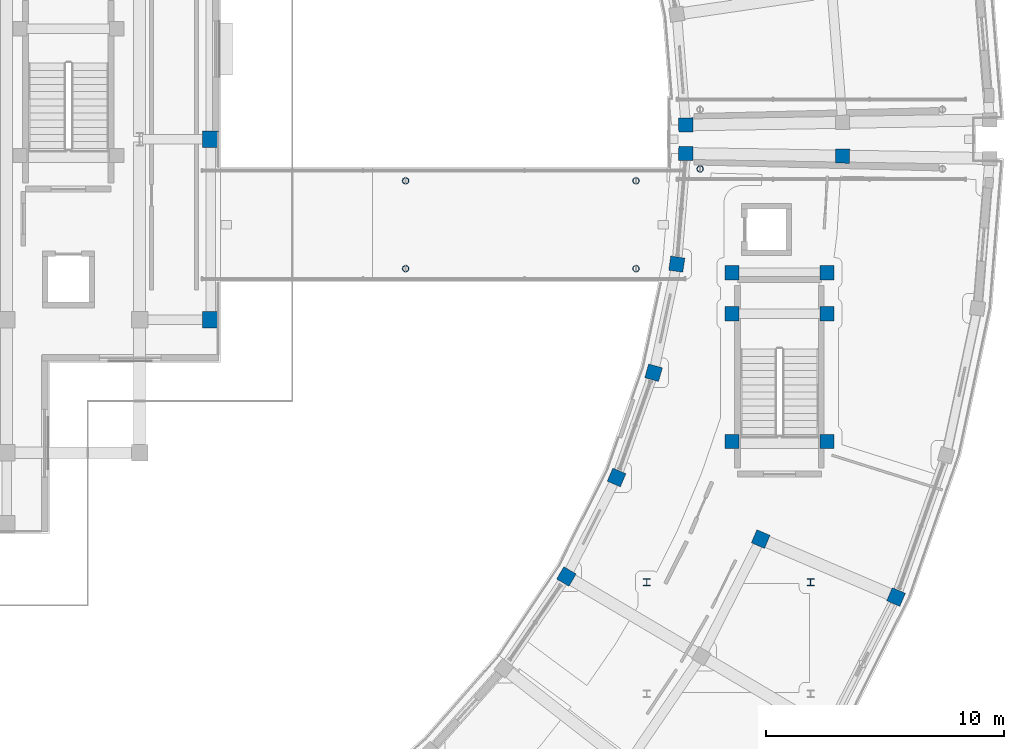
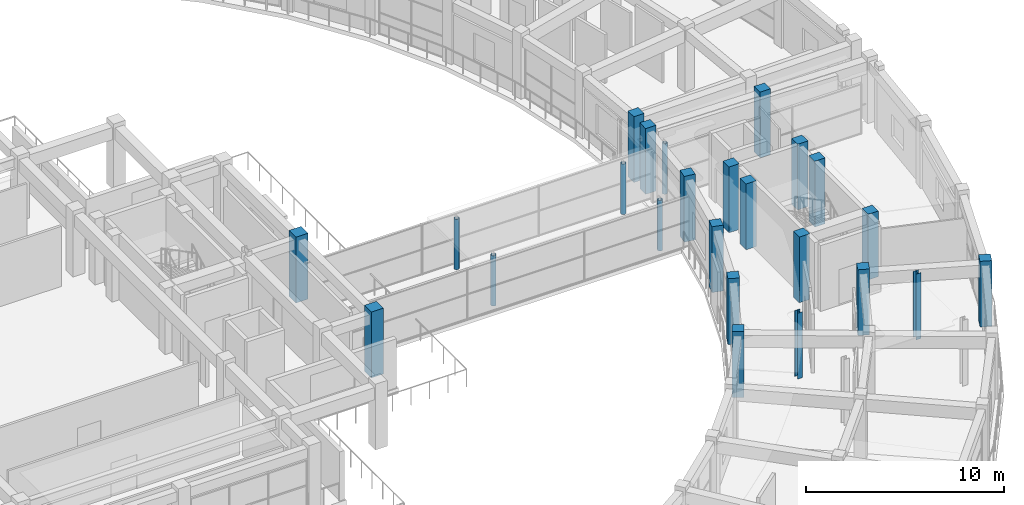
# One storey, part 5 of 53: 24 columns.
"""IFC4 building model written with IfcOpenShell, lengths in metres."""

from ifc_helpers import new_model, si_unit, direction, frame, origin, origin_2d, place, context, subcontext, project, spatial, rectangle, hollow_circle, i_section, extrude, material, material_profile, profile_set, type_object, element, save


model = new_model("IFC4")

# Units and contexts
model_context = context("Model", 3, precision=1e-05, world=origin(), true_north=direction((0.0, 1.0)))
body_context = subcontext(model_context, "Body", "Model", "MODEL_VIEW")
ifc_project = project(units=[si_unit("LENGTHUNIT", "METRE"), si_unit("AREAUNIT", "SQUARE_METRE"), si_unit("VOLUMEUNIT", "CUBIC_METRE"), si_unit("PLANEANGLEUNIT", "RADIAN"), si_unit("MASSUNIT", "GRAM", prefix="KILO")], contexts=[model_context])

# Site, building, storey
site_placement = place(None, origin())
site = spatial("IfcSite", under=ifc_project, at=site_placement, CompositionType="ELEMENT")
building_placement = place(site_placement, origin())
building = spatial("IfcBuilding", under=site, at=building_placement, Name="Saryqyr Civic Hall", CompositionType="ELEMENT")
storey_placement = place(building_placement, frame((0.0, 0.0, 21.300048828125)))
storey = spatial("IfcBuildingStorey", under=building, at=storey_placement, Name="L05", CompositionType="ELEMENT", Elevation=21.300048828125)

# Columns
ifc_material_1 = material(Name="Steel S355", Category="steel")
ifc_material_profile_1 = material_profile(ifc_material_1, hollow_circle(Radius=0.136474609375, WallThickness=0.01611328125, at=origin_2d()), Name="CHS 273x16")
ifc_profile_set_1 = profile_set([ifc_material_profile_1], Name="Steel S355")
column_type_1 = type_object("IfcColumnType", Name="STR-COL-CHS273-S355", PredefinedType="COLUMN", material=ifc_profile_set_1)
for number, where, z_axis, x_axis, name in (
    (1, (93.800048828125, 82.75, 0.0), (0.0, 0.0, 1.0), (1.0, 0.0, 0.0), "Column BRCOL-BR-E-1-L05"),
    (2, (81.39990234375, 78.550048828125, 0.0), (0.0, 0.0, 1.0), (1.0, 0.0, 0.0), "Column BRCOL-BR-CE-1-L05"),
    (3, (91.09765625, 78.550048828125, 0.0), (0.0, 0.0, 1.0), (1.0, 0.0, 0.0), "Column BRCOL-BR-CE-2-L05"),
    (4, (91.09765625, 82.25, 0.0), (0.0, 0.0, 1.0), (1.0, 0.0, 0.0), "Column BRCOL-BR-CE-3-L05"),
    (5, (81.39990234375, 82.25, 0.0), (0.0, 0.0, 1.0), (1.0, 0.0, 0.0), "Column BRCOL-BR-CE-4-L05"),
):
    element("IfcColumn", number, at=place(storey_placement, frame(where, z_axis=z_axis, x_axis=x_axis)), inside=storey, type_object=column_type_1, Name=name, PredefinedType="COLUMN", context=body_context, shape_type="SweptSolid", body=[
        extrude(hollow_circle(Radius=0.136474609375, WallThickness=0.01611328125, at=origin_2d()), origin(), (0.0, 0.0, 1.0), 3.099853515625),
    ])
ifc_material_profile_2 = material_profile(ifc_material_1, i_section(OverallWidth=0.300048828125, OverallDepth=0.2900390625, WebThickness=0.008544921875, FlangeThickness=0.013916015625, at=origin_2d()), Name="HEA 300")
ifc_profile_set_2 = profile_set([ifc_material_profile_2], Name="Steel S355")
column_type_2 = type_object("IfcColumnType", Name="STR-COL-HEA300-S355", PredefinedType="COLUMN", material=ifc_profile_set_2)
for number, where, z_axis, x_axis, name in (
    (6, (98.449951171875, 65.35009765625, 0.0), (0.0, 0.0, 1.0), (1.0, 0.0, 0.0), "Column RGV5-COL-3-L05"),
    (7, (91.550048828125, 65.35009765625, 0.0), (0.0, 0.0, 1.0), (1.0, 0.0, 0.0), "Column RGV5-COL-4-L05"),
):
    element("IfcColumn", number, at=place(storey_placement, frame(where, z_axis=z_axis, x_axis=x_axis)), inside=storey, type_object=column_type_2, Name=name, PredefinedType="COLUMN", context=body_context, shape_type="SweptSolid", body=[
        extrude(i_section(OverallWidth=0.300048828125, OverallDepth=0.2900390625, WebThickness=0.008544921875, FlangeThickness=0.013916015625, at=origin_2d()), origin(), (0.0, 0.0, 1.0), 4.050048828125),
    ])
ifc_material_2 = material(Name="Concrete C40/50", Category="concrete")
ifc_material_profile_3 = material_profile(ifc_material_2, rectangle(XDim=0.60009765625, YDim=0.60009765625, at=origin_2d()), Name="RC 600x600")
ifc_profile_set_3 = profile_set([ifc_material_profile_3], Name="Concrete C40/50")
column_type_3 = type_object("IfcColumnType", Name="STR-COL-RC600-C40", PredefinedType="COLUMN", material=ifc_profile_set_3)
for number, where, z_axis, x_axis, name in (
    (8, (88.16845703125, 65.589111328125, 0.0), (0.0, 0.0, 1.0), (0.861008442465, -0.508590662521, 0.0), "Column V5-COL-IN06-L05"),
    (9, (90.281494140625, 69.759521484375, 0.0), (0.0, 0.0, 1.0), (0.919410138581, -0.393300136124, 0.0), "Column V5-COL-IN07-L05"),
    (10, (96.349365234375, 67.163330078125, 0.0), (0.0, 0.0, 1.0), (0.919410138581, -0.393300136124, 0.0), "Column V5-COL-MID07-L05"),
    (11, (102.04931640625, 64.724365234375, 0.0), (0.0, 0.0, 1.0), (0.919410138581, -0.393300136124, 0.0), "Column V5-COL-OUT07-L05"),
    (12, (91.839111328125, 74.167724609375, 0.0), (0.0, 0.0, 1.0), (0.962407846499, -0.271608425858, 0.0), "Column V5-COL-IN08-L05"),
    (13, (92.81591796875, 78.739990234375, 0.0), (0.0, 0.0, 1.0), (0.989374077068, -0.145392350643, 0.0), "Column V5-COL-IN09-L05"),
    (14, (93.195068359375, 83.39990234375, 0.0), (0.0, 0.0, 1.0), (0.999862544538, -0.016579868188, 0.0), "Column V5-COL-IN10-L05"),
    (15, (99.794189453125, 83.290283203125, 0.0), (0.0, 0.0, 1.0), (0.999862544538, -0.016579868188, 0.0), "Column V5-COL-MID10-L05"),
    (16, (93.195068359375, 84.60009765625, 0.0), (0.0, 0.0, 1.0), (0.999862544538, 0.016579868188, 0.0), "Column V6-COL-IN00-L05"),
    (17, (99.139892578125, 71.27490234375, 0.0), (0.0, 0.0, 1.0), (1.0, 0.0, 0.0), "Column ST-5-SCOL-TRMA-L05"),
    (18, (95.139892578125, 71.27490234375, 0.0), (0.0, 0.0, 1.0), (1.0, 0.0, 0.0), "Column ST-5-SCOL-TRMB-L05"),
    (19, (99.139892578125, 76.64990234375, 0.0), (0.0, 0.0, 1.0), (1.0, 0.0, 0.0), "Column ST-5-SCOL-LND1A-L05"),
    (20, (95.139892578125, 76.64990234375, 0.0), (0.0, 0.0, 1.0), (1.0, 0.0, 0.0), "Column ST-5-SCOL-LND1B-L05"),
    (21, (99.139892578125, 78.3798828125, 0.0), (0.0, 0.0, 1.0), (1.0, 0.0, 0.0), "Column ST-5-SCOL-LND2A-L05"),
    (22, (95.139892578125, 78.3798828125, 0.0), (0.0, 0.0, 1.0), (1.0, 0.0, 0.0), "Column ST-5-SCOL-LND2B-L05"),
):
    element("IfcColumn", number, at=place(storey_placement, frame(where, z_axis=z_axis, x_axis=x_axis)), inside=storey, type_object=column_type_3, Name=name, PredefinedType="COLUMN", context=body_context, shape_type="SweptSolid", body=[
        extrude(rectangle(XDim=0.60009765625, YDim=0.60009765625, at=origin_2d()), origin(), (0.0, 0.0, 1.0), 4.050048828125),
    ])
ifc_material_profile_4 = material_profile(ifc_material_2, rectangle(XDim=0.699951171875, YDim=0.699951171875, at=origin_2d()), Name="RC 700x700")
ifc_profile_set_4 = profile_set([ifc_material_profile_4], Name="Concrete C40/50")
column_type_4 = type_object("IfcColumnType", Name="STR-COL-RC700-C40", PredefinedType="COLUMN", material=ifc_profile_set_4)
for number, where, z_axis, x_axis, name in (
    (23, (73.199951171875, 76.39990234375, 0.0), (0.0, 0.0, 1.0), (1.0, 0.0, 0.0), "Column V1-COL-S3P04-L05"),
    (24, (73.199951171875, 84.0, 0.0), (0.0, 0.0, 1.0), (1.0, 0.0, 0.0), "Column V1-COL-S3P05-L05"),
):
    element("IfcColumn", number, at=place(storey_placement, frame(where, z_axis=z_axis, x_axis=x_axis)), inside=storey, type_object=column_type_4, Name=name, PredefinedType="COLUMN", context=body_context, shape_type="SweptSolid", body=[
        extrude(rectangle(XDim=0.699951171875, YDim=0.699951171875, at=origin_2d()), origin(), (0.0, 0.0, 1.0), 4.050048828125),
    ])

save(model, "model.ifc")
